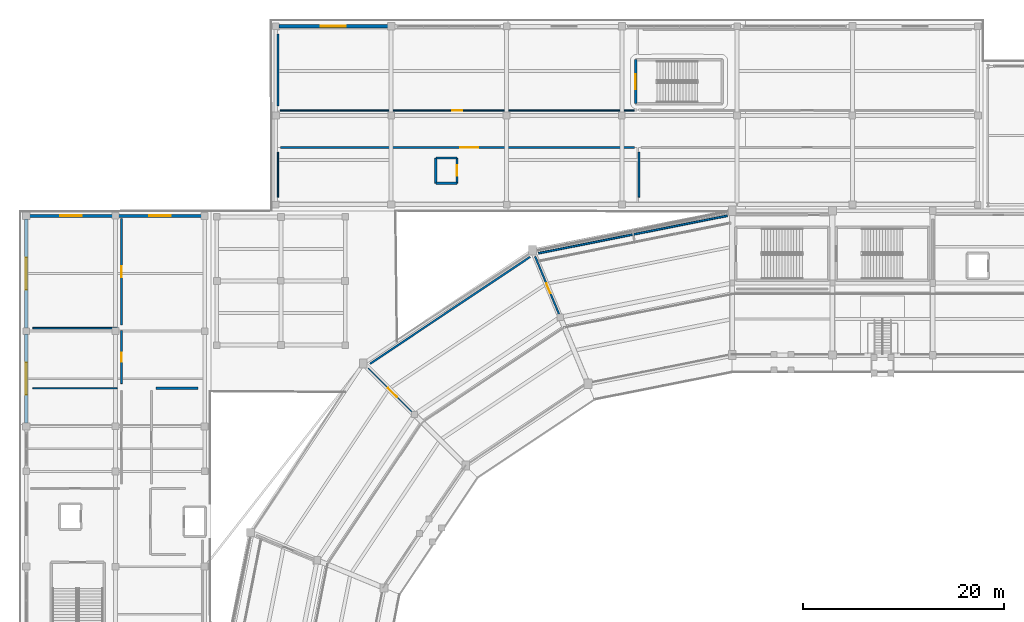
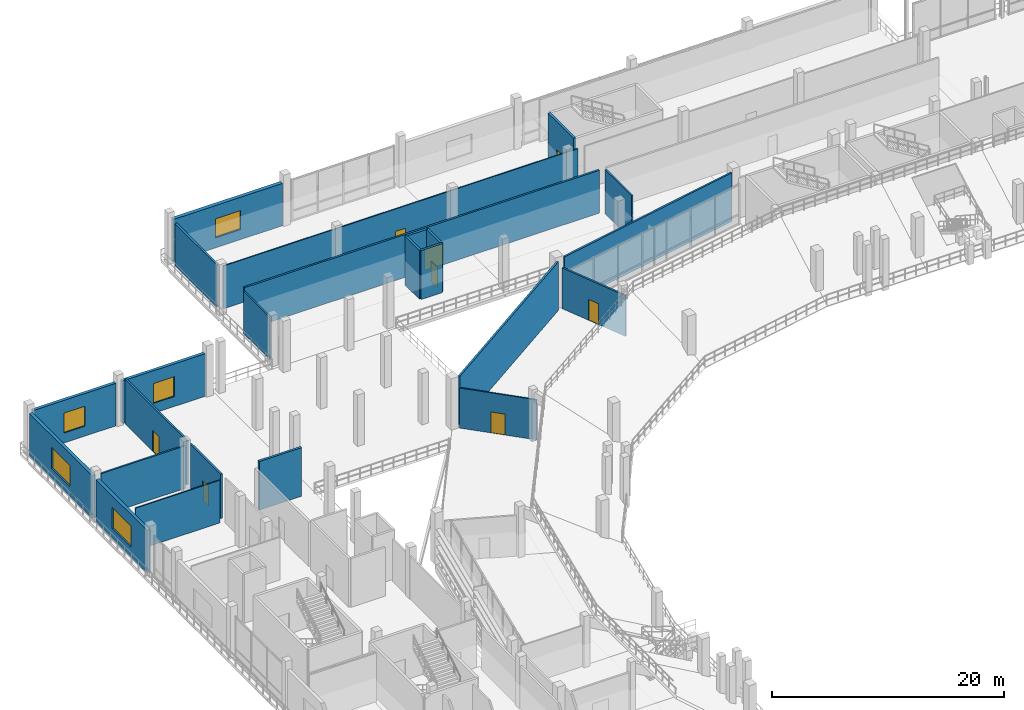
# One storey, part 82 of 127: 24 walls, 8 doors, 5 windows, 13 openings.
"""IFC4 building model written with IfcOpenShell, lengths in metres."""

from ifc_helpers import new_model, si_unit, direction, frame, frame_2d, origin, place, context, subcontext, project, spatial, rectangle, extrude, material, layer, layer_set, type_object, element, fill, save


model = new_model("IFC4")

# Units and contexts
model_context = context("Model", 3, precision=1e-05, world=origin(), true_north=direction((0.0, 1.0)))
body_context = subcontext(model_context, "Body", "Model", "MODEL_VIEW")
ifc_project = project(units=[si_unit("LENGTHUNIT", "METRE"), si_unit("AREAUNIT", "SQUARE_METRE"), si_unit("VOLUMEUNIT", "CUBIC_METRE"), si_unit("PLANEANGLEUNIT", "RADIAN"), si_unit("MASSUNIT", "GRAM", prefix="KILO")], contexts=[model_context])

# Site, building, storey
site_placement = place(None, origin())
site = spatial("IfcSite", under=ifc_project, at=site_placement, CompositionType="ELEMENT")
building_placement = place(site_placement, origin())
building = spatial("IfcBuilding", under=site, at=building_placement, Name="Candeia Ridge Stadium", CompositionType="ELEMENT")
storey_placement = place(building_placement, frame((0.0, 0.0, 10.800048828125)))
storey = spatial("IfcBuildingStorey", under=building, at=storey_placement, Name="L02", CompositionType="ELEMENT", Elevation=10.800048828125)

# Wall
ifc_material_1 = material(Name="Gypsum Acoustic Twin-Stud Assembly", Category="gypsum")
ifc_layer_1 = layer(ifc_material_1, 0.159912109375, Name="Gypsum Acoustic Twin-Stud Assembly", Category="gypsum")
ifc_layer_set_1 = layer_set([ifc_layer_1], Name="Gypsum Acoustic Twin-Stud Assembly")
wall_type_1 = type_object("IfcWallType", Name="Club Dining Acoustic Partition 160", PredefinedType="PARTITIONING", material=ifc_layer_set_1)
wall_1_placement = place(storey_placement, frame((1.25, 135.300048828125, 0.0), z_axis=(0.0, 0.0, 1.0), x_axis=(1.0, 0.0, 0.0)))
element("IfcWall", 1, at=wall_1_placement, inside=storey, type_object=wall_type_1, Name="Demising partition PT-L02-0355", PredefinedType="PARTITIONING", context=body_context, shape_type="SweptSolid", body=[
    extrude(rectangle(XDim=8.39990234375, YDim=0.159912109375, at=frame_2d((4.199951171875, 0.0))), origin(), (0.0, 0.0, 1.0), 4.48486328125),
])

# Wall, opening, door
ifc_material_2 = material(Name="Concrete C40/50", Category="concrete")
ifc_layer_2 = layer(ifc_material_2, 0.25, Name="Concrete C40/50", Category="concrete")
ifc_layer_set_2 = layer_set([ifc_layer_2], Name="Concrete C40/50")
wall_type_2 = type_object("IfcWallType", Name="Core Shear Wall Concrete 250", PredefinedType="SHEAR", material=ifc_layer_set_2)
wall_2_placement = place(storey_placement, frame((61.37548828125, 162.07470703125, 0.0), z_axis=(0.0, 0.0, 1.0), x_axis=(0.0, -1.0, 0.0)))
wall_2 = element("IfcWall", 2, at=wall_2_placement, inside=storey, type_object=wall_type_2, Name="Core C15 near shear wall L02", PredefinedType="SHEAR", context=body_context, shape_type="SweptSolid", body=[
    extrude(rectangle(XDim=4.3994140625, YDim=0.25, at=frame_2d((2.19970703125, 0.0))), origin(), (0.0, 0.0, 1.0), 5.14990234375),
])
opening_1_placement = place(wall_2_placement, frame((1.44970703125, 0.0, 0.0)))
opening_1 = element("IfcOpeningElement", 3, at=opening_1_placement, cuts=wall_2, Name="Opening FD01", PredefinedType="OPENING", context=body_context, shape_type="SweptSolid", body=[
    extrude(rectangle(XDim=1.5, YDim=2.199951171875, at=frame_2d((0.75, 1.10009765625))), frame((0.0, 0.135009765625, 0.0), z_axis=(0.0, -1.0, 0.0), x_axis=(1.0, 0.0, 0.0)), (0.0, 0.0, 1.0), 0.27001953125),
])
ifc_material_3 = material(Name="Galvanized Fire-Rated Steel", Category="steel")
door_type_1 = type_object("IfcDoorType", Name="Exit Stair Core Fire Door 1500x2200", OperationType="NOTDEFINED", PredefinedType="DOOR", material=ifc_material_3)
door_1_placement = place(opening_1_placement, origin())
door_1 = element("IfcDoor", 4, at=door_1_placement, inside=storey, type_object=door_type_1, Name="Exit stair fire door SD-ST15-L02", OperationType="DOUBLE_DOOR_SINGLE_SWING", OverallHeight=2.199951171875, OverallWidth=1.5, PredefinedType="DOOR", context=body_context, shape_type="SweptSolid", body=[
    extrude(rectangle(XDim=1.5, YDim=2.199951171875, at=frame_2d((0.75, 1.10009765625))), frame((0.0, 0.02490234375, 0.0), z_axis=(0.0, -1.0, 0.0), x_axis=(1.0, 0.0, 0.0)), (0.0, 0.0, 1.0), 0.050048828125),
])
fill(opening_1, door_1)

ifc_layer_3 = layer(ifc_material_1, 0.179931640625, Name="Gypsum Acoustic Twin-Stud Assembly", Category="gypsum")
ifc_layer_set_3 = layer_set([ifc_layer_3], Name="Gypsum Acoustic Twin-Stud Assembly")
wall_type_3 = type_object("IfcWallType", Name="Corridor Fire Partition 180", PredefinedType="PARTITIONING", material=ifc_layer_set_3)
wall_3_placement = place(storey_placement, frame((53.98974609375, 136.06640625, 0.0), z_axis=(0.0, 0.0, 1.0), x_axis=(-0.38269761686, 0.923873656974, 0.0)))
wall_3 = element("IfcWall", 5, at=wall_3_placement, inside=storey, type_object=wall_type_3, Name="Interior partition PT-L02-0457", PredefinedType="PARTITIONING", context=body_context, shape_type="SweptSolid", body=[
    extrude(rectangle(XDim=6.900146484375, YDim=0.179931640625, at=frame_2d((3.4501953125, 0.0))), origin(), (0.0, 0.0, 1.0), 4.284912109375),
])
opening_2_placement = place(wall_3_placement, frame((2.925048828125, 0.0, 0.0)))
opening_2 = element("IfcOpeningElement", 6, at=opening_2_placement, cuts=wall_3, Name="Opening ID01", PredefinedType="OPENING", context=body_context, shape_type="SweptSolid", body=[
    extrude(rectangle(XDim=1.050048828125, YDim=2.199951171875, at=frame_2d((0.52490234375, 1.10009765625))), frame((0.0, 0.099853515625, 0.0), z_axis=(0.0, -1.0, 0.0), x_axis=(1.0, 0.0, 0.0)), (0.0, 0.0, 1.0), 0.199951171875),
])
ifc_material_4 = material(Name="Western Red Cedar Acoustic Veneer", Category="wood")
door_type_2 = type_object("IfcDoorType", Name="Hospitality Suite Entrance Door 1050x2200", OperationType="NOTDEFINED", PredefinedType="DOOR", material=ifc_material_4)
door_2_placement = place(opening_2_placement, frame((1.050048828125, 0.0, 0.0), z_axis=(0.0, 0.0, 1.0), x_axis=(-1.0, 0.0, 0.0)))
door_2 = element("IfcDoor", 7, at=door_2_placement, inside=storey, type_object=door_type_2, Name="Interior room door D-L02-0236", OperationType="SINGLE_SWING_RIGHT", OverallHeight=2.199951171875, OverallWidth=1.050048828125, PredefinedType="DOOR", context=body_context, shape_type="SweptSolid", body=[
    extrude(rectangle(XDim=1.050048828125, YDim=2.199951171875, at=frame_2d((0.52490234375, 1.10009765625))), frame((0.0, 0.02490234375, 0.0), z_axis=(0.0, -1.0, 0.0), x_axis=(1.0, 0.0, 0.0)), (0.0, 0.0, 1.0), 0.050048828125),
])
fill(opening_2, door_2)

# Walls
wall_4_placement = place(storey_placement, frame((51.69482421875, 142.760009765625, 0.0), z_axis=(0.0, 0.0, 1.0), x_axis=(0.98078659802, 0.195083697793, 0.0)))
element("IfcWall", 8, at=wall_4_placement, inside=storey, type_object=wall_type_3, Name="Demising partition PT-L02-0458", PredefinedType="PARTITIONING", context=body_context, shape_type="SweptSolid", body=[
    extrude(rectangle(XDim=19.1923828125, YDim=0.179931640625, at=frame_2d((9.59619140625, 0.0))), origin(), (0.0, 0.0, 1.0), 5.119873046875),
])
ifc_material_5 = material(Name="Moisture-Resistant Masonry & Tile", Category="masonry")
ifc_layer_4 = layer(ifc_material_5, 0.22998046875, Name="Moisture-Resistant Masonry & Tile", Category="masonry")
ifc_layer_set_4 = layer_set([ifc_layer_4], Name="Moisture-Resistant Masonry & Tile")
wall_type_4 = type_object("IfcWallType", Name="Dressing Suite Wet-Wall Chase 230", PredefinedType="PLUMBINGWALL", material=ifc_layer_set_4)
wall_5_placement = place(storey_placement, frame((13.550048828125, 129.300048828125, 0.0), z_axis=(0.0, 0.0, 1.0), x_axis=(1.0, 0.0, 0.0)))
element("IfcWall", 9, at=wall_5_placement, inside=storey, type_object=wall_type_4, Name="Demising partition PT-L02-0353", PredefinedType="PLUMBINGWALL", context=body_context, shape_type="SweptSolid", body=[
    extrude(rectangle(XDim=4.199951171875, YDim=0.22998046875, at=frame_2d((2.10009765625, 0.0))), origin(), (0.0, 0.0, 1.0), 5.119873046875),
])

# Wall, opening, window
ifc_layer_5 = layer(ifc_material_2, 0.360107421875, Name="Concrete C40/50", Category="concrete")
ifc_layer_set_5 = layer_set([ifc_layer_5], Name="Concrete C40/50")
wall_type_5 = type_object("IfcWallType", Name="Exterior Basalt Plinth Wall 360", PredefinedType="SOLIDWALL", material=ifc_layer_set_5)
wall_6_placement = place(storey_placement, frame((25.81298828125, 165.39990234375, 0.0), z_axis=(0.0, 0.0, 1.0), x_axis=(1.0, 0.0, 0.0)))
wall_6 = element("IfcWall", 10, at=wall_6_placement, inside=storey, type_object=wall_type_5, Name="Exterior facade wall EW-L02-0208", PredefinedType="SOLIDWALL", context=body_context, shape_type="SweptSolid", body=[
    extrude(rectangle(XDim=10.84912109375, YDim=0.360107421875, at=frame_2d((5.424560546875, 0.0))), origin(), (0.0, 0.0, 1.0), 4.454833984375),
])
opening_3_placement = place(wall_6_placement, frame((4.174560546875, 0.0, 1.050048828125)))
opening_3 = element("IfcOpeningElement", 11, at=opening_3_placement, cuts=wall_6, Name="Opening W13", PredefinedType="OPENING", context=body_context, shape_type="SweptSolid", body=[
    extrude(rectangle(XDim=2.5, YDim=2.0, at=frame_2d((1.25, 1.0))), frame((0.0, 0.18994140625, 0.0), z_axis=(0.0, -1.0, 0.0), x_axis=(1.0, 0.0, 0.0)), (0.0, 0.0, 1.0), 0.380126953125),
])
ifc_material_6 = material(Name="Tempered Solar-Control Double Glazing", Category="glass")
window_type_1 = type_object("IfcWindowType", Name="Ticketing Hall Window 2500x2000", PartitioningType="SINGLE_PANEL", PredefinedType="WINDOW", material=ifc_material_6)
window_1_placement = place(opening_3_placement, origin())
window_1 = element("IfcWindow", 12, at=window_1_placement, inside=storey, type_object=window_type_1, Name="Exterior window WIN-L02-115", OverallHeight=2.0, OverallWidth=2.5, PartitioningType="SINGLE_PANEL", PredefinedType="WINDOW", context=body_context, shape_type="SweptSolid", body=[
    extrude(rectangle(XDim=2.5, YDim=2.0, at=frame_2d((1.25, 1.0))), frame((0.0, 0.030029296875, 0.0), z_axis=(0.0, -1.0, 0.0), x_axis=(1.0, 0.0, 0.0)), (0.0, 0.0, 1.0), 0.06005859375),
])
fill(opening_3, window_1)

ifc_material_7 = material(Name="Concrete C35/45", Category="concrete")
ifc_layer_6 = layer(ifc_material_7, 0.320068359375, Name="Concrete C35/45", Category="concrete")
ifc_layer_set_6 = layer_set([ifc_layer_6], Name="Concrete C35/45")
wall_type_6 = type_object("IfcWallType", Name="Exterior Cedar-Clad Insulated Wall 320", PredefinedType="SOLIDWALL", material=ifc_layer_set_6)
wall_7_placement = place(storey_placement, frame((0.60009765625, 125.837890625, 0.0), z_axis=(0.0, 0.0, 1.0), x_axis=(0.0, 1.0, 0.0)))
wall_7 = element("IfcWall", 13, at=wall_7_placement, inside=storey, type_object=wall_type_6, Name="Exterior facade wall EW-L02-0081", PredefinedType="SOLIDWALL", context=body_context, shape_type="SweptSolid", body=[
    extrude(rectangle(XDim=8.84912109375, YDim=0.320068359375, at=frame_2d((4.424560546875, 0.0))), origin(), (0.0, 0.0, 1.0), 4.48486328125),
])
opening_4_placement = place(wall_7_placement, frame((2.824462890625, 0.0, 1.050048828125)))
opening_4 = element("IfcOpeningElement", 14, at=opening_4_placement, cuts=wall_7, Name="Opening W05", PredefinedType="OPENING", context=body_context, shape_type="SweptSolid", body=[
    extrude(rectangle(XDim=3.199951171875, YDim=2.199951171875, at=frame_2d((1.60009765625, 1.10009765625))), frame((0.0, 0.169921875, 0.0), z_axis=(0.0, -1.0, 0.0), x_axis=(1.0, 0.0, 0.0)), (0.0, 0.0, 1.0), 0.340087890625),
])
window_type_2 = type_object("IfcWindowType", Name="Club Dining Picture Window 3200x2200", PartitioningType="SINGLE_PANEL", PredefinedType="WINDOW", material=ifc_material_6)
window_2_placement = place(opening_4_placement, origin())
window_2 = element("IfcWindow", 15, at=window_2_placement, inside=storey, type_object=window_type_2, Name="Exterior window WIN-L02-035", OverallHeight=2.199951171875, OverallWidth=3.199951171875, PartitioningType="SINGLE_PANEL", PredefinedType="WINDOW", context=body_context, shape_type="SweptSolid", body=[
    extrude(rectangle(XDim=3.199951171875, YDim=2.199951171875, at=frame_2d((1.60009765625, 1.10009765625))), frame((0.0, 0.030029296875, 0.0), z_axis=(0.0, -1.0, 0.0), x_axis=(1.0, 0.0, 0.0)), (0.0, 0.0, 1.0), 0.06005859375),
])
fill(opening_4, window_2)

wall_8_placement = place(storey_placement, frame((0.60009765625, 135.31298828125, 0.0), z_axis=(0.0, 0.0, 1.0), x_axis=(0.0, 1.0, 0.0)))
wall_8 = element("IfcWall", 16, at=wall_8_placement, inside=storey, type_object=wall_type_6, Name="Exterior facade wall EW-L02-0082", PredefinedType="SOLIDWALL", context=body_context, shape_type="SweptSolid", body=[
    extrude(rectangle(XDim=10.84912109375, YDim=0.320068359375, at=frame_2d((5.424560546875, 0.0))), origin(), (0.0, 0.0, 1.0), 4.48486328125),
])
opening_5_placement = place(wall_8_placement, frame((3.824462890625, 0.0, 1.050048828125)))
opening_5 = element("IfcOpeningElement", 17, at=opening_5_placement, cuts=wall_8, Name="Opening W05", PredefinedType="OPENING", context=body_context, shape_type="SweptSolid", body=[
    extrude(rectangle(XDim=3.199951171875, YDim=2.199951171875, at=frame_2d((1.60009765625, 1.10009765625))), frame((0.0, 0.169921875, 0.0), z_axis=(0.0, -1.0, 0.0), x_axis=(1.0, 0.0, 0.0)), (0.0, 0.0, 1.0), 0.340087890625),
])
window_3_placement = place(opening_5_placement, origin())
window_3 = element("IfcWindow", 18, at=window_3_placement, inside=storey, type_object=window_type_2, Name="Exterior window WIN-L02-036", OverallHeight=2.199951171875, OverallWidth=3.199951171875, PartitioningType="SINGLE_PANEL", PredefinedType="WINDOW", context=body_context, shape_type="SweptSolid", body=[
    extrude(rectangle(XDim=3.199951171875, YDim=2.199951171875, at=frame_2d((1.60009765625, 1.10009765625))), frame((0.0, 0.030029296875, 0.0), z_axis=(0.0, -1.0, 0.0), x_axis=(1.0, 0.0, 0.0)), (0.0, 0.0, 1.0), 0.06005859375),
])
fill(opening_5, window_3)

ifc_layer_7 = layer(ifc_material_7, 0.300048828125, Name="Concrete C35/45", Category="concrete")
ifc_layer_set_7 = layer_set([ifc_layer_7], Name="Concrete C35/45")
wall_type_7 = type_object("IfcWallType", Name="Exterior Pavilion Rainscreen Wall 300", PredefinedType="SOLIDWALL", material=ifc_layer_set_7)
wall_9_placement = place(storey_placement, frame((0.93798828125, 146.5, 0.0), z_axis=(0.0, 0.0, 1.0), x_axis=(1.0, 0.0, 0.0)))
wall_9 = element("IfcWall", 19, at=wall_9_placement, inside=storey, type_object=wall_type_7, Name="Exterior facade wall EW-L02-0085", PredefinedType="SOLIDWALL", context=body_context, shape_type="SweptSolid", body=[
    extrude(rectangle(XDim=8.2490234375, YDim=0.300048828125, at=frame_2d((4.12451171875, 0.0))), origin(), (0.0, 0.0, 1.0), 4.48486328125),
])
opening_6_placement = place(wall_9_placement, frame((3.074462890625, 0.0, 1.050048828125)))
opening_6 = element("IfcOpeningElement", 20, at=opening_6_placement, cuts=wall_9, Name="Opening W04", PredefinedType="OPENING", context=body_context, shape_type="SweptSolid", body=[
    extrude(rectangle(XDim=2.10009765625, YDim=2.10009765625, at=frame_2d((1.050048828125, 1.050048828125))), frame((0.0, 0.159912109375, 0.0), z_axis=(0.0, -1.0, 0.0), x_axis=(1.0, 0.0, 0.0)), (0.0, 0.0, 1.0), 0.320068359375),
])
window_type_3 = type_object("IfcWindowType", Name="Hospitality Ribbon Window 2100x2100", PartitioningType="SINGLE_PANEL", PredefinedType="WINDOW", material=ifc_material_6)
window_4_placement = place(opening_6_placement, origin())
window_4 = element("IfcWindow", 21, at=window_4_placement, inside=storey, type_object=window_type_3, Name="Exterior window WIN-L02-039", OverallHeight=2.10009765625, OverallWidth=2.10009765625, PartitioningType="SINGLE_PANEL", PredefinedType="WINDOW", context=body_context, shape_type="SweptSolid", body=[
    extrude(rectangle(XDim=2.10009765625, YDim=2.10009765625, at=frame_2d((1.050048828125, 1.050048828125))), frame((0.0, 0.030029296875, 0.0), z_axis=(0.0, -1.0, 0.0), x_axis=(1.0, 0.0, 0.0)), (0.0, 0.0, 1.0), 0.06005859375),
])
fill(opening_6, window_4)

wall_10_placement = place(storey_placement, frame((9.81298828125, 146.5, 0.0), z_axis=(0.0, 0.0, 1.0), x_axis=(1.0, 0.0, 0.0)))
wall_10 = element("IfcWall", 22, at=wall_10_placement, inside=storey, type_object=wall_type_7, Name="Exterior facade wall EW-L02-0086", PredefinedType="SOLIDWALL", context=body_context, shape_type="SweptSolid", body=[
    extrude(rectangle(XDim=8.2490234375, YDim=0.300048828125, at=frame_2d((4.12451171875, 0.0))), origin(), (0.0, 0.0, 1.0), 4.48486328125),
])
opening_7_placement = place(wall_10_placement, frame((3.074462890625, 0.0, 1.050048828125)))
opening_7 = element("IfcOpeningElement", 23, at=opening_7_placement, cuts=wall_10, Name="Opening W04", PredefinedType="OPENING", context=body_context, shape_type="SweptSolid", body=[
    extrude(rectangle(XDim=2.10009765625, YDim=2.10009765625, at=frame_2d((1.050048828125, 1.050048828125))), frame((0.0, 0.159912109375, 0.0), z_axis=(0.0, -1.0, 0.0), x_axis=(1.0, 0.0, 0.0)), (0.0, 0.0, 1.0), 0.320068359375),
])
window_5_placement = place(opening_7_placement, origin())
window_5 = element("IfcWindow", 24, at=window_5_placement, inside=storey, type_object=window_type_3, Name="Exterior window WIN-L02-040", OverallHeight=2.10009765625, OverallWidth=2.10009765625, PartitioningType="SINGLE_PANEL", PredefinedType="WINDOW", context=body_context, shape_type="SweptSolid", body=[
    extrude(rectangle(XDim=2.10009765625, YDim=2.10009765625, at=frame_2d((1.050048828125, 1.050048828125))), frame((0.0, 0.030029296875, 0.0), z_axis=(0.0, -1.0, 0.0), x_axis=(1.0, 0.0, 0.0)), (0.0, 0.0, 1.0), 0.06005859375),
])
fill(opening_7, window_5)

# Wall
ifc_material_8 = material(Name="Gypsum Metal-Stud Partition", Category="gypsum")
ifc_layer_8 = layer(ifc_material_8, 0.135009765625, Name="Gypsum Metal-Stud Partition", Category="gypsum")
ifc_layer_set_8 = layer_set([ifc_layer_8], Name="Gypsum Metal-Stud Partition")
wall_type_8 = type_object("IfcWallType", Name="General Room Partition 135", PredefinedType="PARTITIONING", material=ifc_layer_set_8)
wall_11_placement = place(storey_placement, frame((25.699951171875, 148.35009765625, 0.0), z_axis=(0.0, 0.0, 1.0), x_axis=(0.0, 1.0, 0.0)))
element("IfcWall", 25, at=wall_11_placement, inside=storey, type_object=wall_type_8, Name="Demising partition PT-L02-0420", PredefinedType="PARTITIONING", context=body_context, shape_type="SweptSolid", body=[
    extrude(rectangle(XDim=4.5, YDim=0.135009765625, at=frame_2d((2.25, 0.0))), origin(), (0.0, 0.0, 1.0), 4.454833984375),
])

# Wall, opening, door
wall_12_placement = place(storey_placement, frame((39.569091796875, 126.430908203125, 0.0), z_axis=(0.0, 0.0, 1.0), x_axis=(-0.707106781187, 0.707106781187, 0.0)))
wall_12 = element("IfcWall", 26, at=wall_12_placement, inside=storey, type_object=wall_type_8, Name="Interior partition PT-L02-0459", PredefinedType="PARTITIONING", context=body_context, shape_type="SweptSolid", body=[
    extrude(rectangle(XDim=6.89990234375, YDim=0.135009765625, at=frame_2d((3.449951171875, 0.0))), origin(), (0.0, 0.0, 1.0), 4.21484375),
])
opening_8_placement = place(wall_12_placement, frame((2.824951171875, 0.0, 0.0)))
opening_8 = element("IfcOpeningElement", 27, at=opening_8_placement, cuts=wall_12, Name="Opening ID11", PredefinedType="OPENING", context=body_context, shape_type="SweptSolid", body=[
    extrude(rectangle(XDim=1.25, YDim=2.199951171875, at=frame_2d((0.625, 1.10009765625))), frame((0.0, 0.077392578125, 0.0), z_axis=(0.0, -1.0, 0.0), x_axis=(1.0, 0.0, 0.0)), (0.0, 0.0, 1.0), 0.155029296875),
])
ifc_material_9 = material(Name="Acoustic Timber Studio Leaf", Category="wood")
door_type_3 = type_object("IfcDoorType", Name="Press Tribune Acoustic Door 1250x2200", OperationType="NOTDEFINED", PredefinedType="DOOR", material=ifc_material_9)
door_3_placement = place(opening_8_placement, origin())
door_3 = element("IfcDoor", 28, at=door_3_placement, inside=storey, type_object=door_type_3, Name="Interior room door D-L02-0237", OperationType="SINGLE_SWING_LEFT", OverallHeight=2.199951171875, OverallWidth=1.25, PredefinedType="DOOR", context=body_context, shape_type="SweptSolid", body=[
    extrude(rectangle(XDim=1.25, YDim=2.199951171875, at=frame_2d((0.625, 1.10009765625))), frame((0.0, 0.02490234375, 0.0), z_axis=(0.0, -1.0, 0.0), x_axis=(1.0, 0.0, 0.0)), (0.0, 0.0, 1.0), 0.050048828125),
])
fill(opening_8, door_3)

# Wall
ifc_layer_9 = layer(ifc_material_2, 0.219970703125, Name="Concrete C40/50", Category="concrete")
ifc_layer_set_9 = layer_set([ifc_layer_9], Name="Concrete C40/50")
wall_type_9 = type_object("IfcWallType", Name="Lift & Riser Shaft Wall 220", PredefinedType="SHEAR", material=ifc_layer_set_9)
wall_13_placement = place(storey_placement, frame((41.43994140625, 149.739990234375, 0.0), z_axis=(0.0, 0.0, 1.0), x_axis=(1.0, 0.0, 0.0)))
element("IfcWall", 29, at=wall_13_placement, inside=storey, type_object=wall_type_9, Name="Lift PL7 shaft wall L02 south", PredefinedType="SHEAR", context=body_context, shape_type="SweptSolid", body=[
    extrude(rectangle(XDim=2.1201171875, YDim=0.219970703125, at=frame_2d((1.06005859375, 0.0))), origin(), (0.0, 0.0, 1.0), 5.14990234375),
])

# Wall, opening, door
wall_14_placement = place(storey_placement, frame((43.56005859375, 149.739990234375, 0.0), z_axis=(0.0, 0.0, 1.0), x_axis=(0.0, 1.0, 0.0)))
wall_14 = element("IfcWall", 30, at=wall_14_placement, inside=storey, type_object=wall_type_9, Name="Lift PL7 shaft wall L02 east", PredefinedType="SHEAR", context=body_context, shape_type="SweptSolid", body=[
    extrude(rectangle(XDim=2.52001953125, YDim=0.219970703125, at=frame_2d((1.260009765625, 0.0))), origin(), (0.0, 0.0, 1.0), 5.14990234375),
])
opening_9_placement = place(wall_14_placement, frame((0.735107421875, 0.0, 0.0)))
opening_9 = element("IfcOpeningElement", 31, at=opening_9_placement, cuts=wall_14, Name="Opening LD02", PredefinedType="OPENING", context=body_context, shape_type="SweptSolid", body=[
    extrude(rectangle(XDim=1.050048828125, YDim=2.14990234375, at=frame_2d((0.52490234375, 1.074951171875))), frame((0.0, 0.119873046875, 0.0), z_axis=(0.0, -1.0, 0.0), x_axis=(1.0, 0.0, 0.0)), (0.0, 0.0, 1.0), 0.239990234375),
])
ifc_material_10 = material(Name="Brushed Stainless Steel", Category="steel")
door_type_4 = type_object("IfcDoorType", Name="Passenger Lift Landing Door 1050x2150", OperationType="NOTDEFINED", PredefinedType="DOOR", material=ifc_material_10)
door_4_placement = place(opening_9_placement, origin())
door_4 = element("IfcDoor", 32, at=door_4_placement, inside=storey, type_object=door_type_4, Name="Lift landing sliding door LD-PL7-L02", OperationType="DOUBLE_DOOR_SLIDING", OverallHeight=2.14990234375, OverallWidth=1.050048828125, PredefinedType="DOOR", context=body_context, shape_type="SweptSolid", body=[
    extrude(rectangle(XDim=1.050048828125, YDim=2.14990234375, at=frame_2d((0.52490234375, 1.074951171875))), frame((0.0, 0.02490234375, 0.0), z_axis=(0.0, -1.0, 0.0), x_axis=(1.0, 0.0, 0.0)), (0.0, 0.0, 1.0), 0.050048828125),
])
fill(opening_9, door_4)

# Walls
wall_15_placement = place(storey_placement, frame((43.56005859375, 152.260009765625, 0.0), z_axis=(0.0, 0.0, 1.0), x_axis=(-1.0, 0.0, 0.0)))
element("IfcWall", 33, at=wall_15_placement, inside=storey, type_object=wall_type_9, Name="Lift PL7 shaft wall L02 north", PredefinedType="SHEAR", context=body_context, shape_type="SweptSolid", body=[
    extrude(rectangle(XDim=2.1201171875, YDim=0.219970703125, at=frame_2d((1.06005859375, 0.0))), origin(), (0.0, 0.0, 1.0), 5.14990234375),
])
wall_16_placement = place(storey_placement, frame((41.43994140625, 152.260009765625, 0.0), z_axis=(0.0, 0.0, 1.0), x_axis=(0.0, -1.0, 0.0)))
element("IfcWall", 34, at=wall_16_placement, inside=storey, type_object=wall_type_9, Name="Lift PL7 shaft wall L02 west", PredefinedType="SHEAR", context=body_context, shape_type="SweptSolid", body=[
    extrude(rectangle(XDim=2.52001953125, YDim=0.219970703125, at=frame_2d((1.260009765625, 0.0))), origin(), (0.0, 0.0, 1.0), 5.14990234375),
])

# Wall, opening, door
ifc_material_11 = material(Name="Gypsum Acoustic Triple-Board Wall", Category="gypsum")
ifc_layer_10 = layer(ifc_material_11, 0.18994140625, Name="Gypsum Acoustic Triple-Board Wall", Category="gypsum")
ifc_layer_set_10 = layer_set([ifc_layer_10], Name="Gypsum Acoustic Triple-Board Wall")
wall_type_10 = type_object("IfcWallType", Name="Media & Commentary Studio Wall 190", PredefinedType="PARTITIONING", material=ifc_layer_set_10)
wall_17_placement = place(storey_placement, frame((25.949951171875, 153.300048828125, 0.0), z_axis=(0.0, 0.0, 1.0), x_axis=(1.0, 0.0, 0.0)))
wall_17 = element("IfcWall", 35, at=wall_17_placement, inside=storey, type_object=wall_type_10, Name="Interior partition PT-L02-0419", PredefinedType="PARTITIONING", context=body_context, shape_type="SweptSolid", body=[
    extrude(rectangle(XDim=35.300048828125, YDim=0.18994140625, at=frame_2d((17.64990234375, 0.0))), origin(), (0.0, 0.0, 1.0), 4.5048828125),
])
opening_10_placement = place(wall_17_placement, frame((17.949951171875, 0.0, 0.0)))
opening_10 = element("IfcOpeningElement", 36, at=opening_10_placement, cuts=wall_17, Name="Opening FD03", PredefinedType="OPENING", context=body_context, shape_type="SweptSolid", body=[
    extrude(rectangle(XDim=1.800048828125, YDim=2.199951171875, at=frame_2d((0.89990234375, 1.10009765625))), frame((0.0, 0.10498046875, 0.0), z_axis=(0.0, -1.0, 0.0), x_axis=(1.0, 0.0, 0.0)), (0.0, 0.0, 1.0), 0.2099609375),
])
ifc_material_12 = material(Name="Timber Fire-Rated Acoustic", Category="wood")
door_type_5 = type_object("IfcDoorType", Name="Corridor Compartment Double Door 1800x2200", OperationType="NOTDEFINED", PredefinedType="DOOR", material=ifc_material_12)
door_5_placement = place(opening_10_placement, origin())
door_5 = element("IfcDoor", 37, at=door_5_placement, inside=storey, type_object=door_type_5, Name="Interior room door D-L02-0217", OperationType="DOUBLE_DOOR_SINGLE_SWING", OverallHeight=2.199951171875, OverallWidth=1.800048828125, PredefinedType="DOOR", context=body_context, shape_type="SweptSolid", body=[
    extrude(rectangle(XDim=1.800048828125, YDim=2.199951171875, at=frame_2d((0.89990234375, 1.10009765625))), frame((0.0, 0.02490234375, 0.0), z_axis=(0.0, -1.0, 0.0), x_axis=(1.0, 0.0, 0.0)), (0.0, 0.0, 1.0), 0.050048828125),
])
fill(opening_10, door_5)

# Wall
wall_18_placement = place(storey_placement, frame((34.887451171875, 131.73681640625, 0.0), z_axis=(0.0, 0.0, 1.0), x_axis=(0.831474480627, 0.555562946988, 0.0)))
element("IfcWall", 38, at=wall_18_placement, inside=storey, type_object=wall_type_10, Name="Demising partition PT-L02-0460", PredefinedType="PARTITIONING", context=body_context, shape_type="SweptSolid", body=[
    extrude(rectangle(XDim=19.1923828125, YDim=0.18994140625, at=frame_2d((9.59619140625, 0.0))), origin(), (0.0, 0.0, 1.0), 5.119873046875),
])

# Wall, opening, door
ifc_layer_11 = layer(ifc_material_11, 0.18505859375, Name="Gypsum Acoustic Triple-Board Wall", Category="gypsum")
ifc_layer_set_11 = layer_set([ifc_layer_11], Name="Gypsum Acoustic Triple-Board Wall")
wall_type_11 = type_object("IfcWallType", Name="Media Booth Studio Divider 185", PredefinedType="PARTITIONING", material=ifc_layer_set_11)
wall_19_placement = place(storey_placement, frame((10.10009765625, 146.25, 0.0), z_axis=(0.0, 0.0, 1.0), x_axis=(0.0, -1.0, 0.0)))
wall_19 = element("IfcWall", 39, at=wall_19_placement, inside=storey, type_object=wall_type_11, Name="Interior partition PT-L02-0356", PredefinedType="PARTITIONING", context=body_context, shape_type="SweptSolid", body=[
    extrude(rectangle(XDim=10.659912109375, YDim=0.18505859375, at=frame_2d((5.330078125, 0.0))), origin(), (0.0, 0.0, 1.0), 4.677978515625),
])
opening_11_placement = place(wall_19_placement, frame((4.77001953125, 0.0, 0.0)))
opening_11 = element("IfcOpeningElement", 40, at=opening_11_placement, cuts=wall_19, Name="Opening ID18", PredefinedType="OPENING", context=body_context, shape_type="SweptSolid", body=[
    extrude(rectangle(XDim=1.1201171875, YDim=2.199951171875, at=frame_2d((0.56005859375, 1.10009765625))), frame((0.0, 0.1025390625, 0.0), z_axis=(0.0, -1.0, 0.0), x_axis=(1.0, 0.0, 0.0)), (0.0, 0.0, 1.0), 0.205078125),
])
door_type_6 = type_object("IfcDoorType", Name="Control Room Security Door 1120x2200", OperationType="NOTDEFINED", PredefinedType="DOOR", material=ifc_material_3)
door_6_placement = place(opening_11_placement, frame((1.1201171875, 0.0, 0.0), z_axis=(0.0, 0.0, 1.0), x_axis=(-1.0, 0.0, 0.0)))
door_6 = element("IfcDoor", 41, at=door_6_placement, inside=storey, type_object=door_type_6, Name="Interior room door D-L02-0184", OperationType="SINGLE_SWING_LEFT", OverallHeight=2.199951171875, OverallWidth=1.1201171875, PredefinedType="DOOR", context=body_context, shape_type="SweptSolid", body=[
    extrude(rectangle(XDim=1.1201171875, YDim=2.199951171875, at=frame_2d((0.56005859375, 1.10009765625))), frame((0.0, 0.02490234375, 0.0), z_axis=(0.0, -1.0, 0.0), x_axis=(1.0, 0.0, 0.0)), (0.0, 0.0, 1.0), 0.050048828125),
])
fill(opening_11, door_6)

# Walls
ifc_layer_12 = layer(ifc_material_1, 0.175048828125, Name="Gypsum Acoustic Twin-Stud Assembly", Category="gypsum")
ifc_layer_set_12 = layer_set([ifc_layer_12], Name="Gypsum Acoustic Twin-Stud Assembly")
wall_type_12 = type_object("IfcWallType", Name="Museum Acoustic Gallery Wall 175", PredefinedType="PARTITIONING", material=ifc_layer_set_12)
wall_20_placement = place(storey_placement, frame((61.699951171875, 148.35009765625, 0.0), z_axis=(0.0, 0.0, 1.0), x_axis=(0.0, 1.0, 0.0)))
element("IfcWall", 42, at=wall_20_placement, inside=storey, type_object=wall_type_12, Name="Demising partition PT-L02-0424", PredefinedType="PARTITIONING", context=body_context, shape_type="SweptSolid", body=[
    extrude(rectangle(XDim=4.5, YDim=0.175048828125, at=frame_2d((2.25, 0.0))), origin(), (0.0, 0.0, 1.0), 4.655029296875),
])
ifc_layer_13 = layer(ifc_material_5, 0.2099609375, Name="Moisture-Resistant Masonry & Tile", Category="masonry")
ifc_layer_set_13 = layer_set([ifc_layer_13], Name="Moisture-Resistant Masonry & Tile")
wall_type_13 = type_object("IfcWallType", Name="Sanitary Wet-Wall Plumbing Chase 210", PredefinedType="PLUMBINGWALL", material=ifc_layer_set_13)
wall_21_placement = place(storey_placement, frame((25.699951171875, 157.449951171875, 0.0), z_axis=(0.0, 0.0, 1.0), x_axis=(0.0, 1.0, 0.0)))
element("IfcWall", 43, at=wall_21_placement, inside=storey, type_object=wall_type_13, Name="Demising partition PT-L02-0422", PredefinedType="PLUMBINGWALL", context=body_context, shape_type="SweptSolid", body=[
    extrude(rectangle(XDim=7.199951171875, YDim=0.2099609375, at=frame_2d((3.60009765625, 0.0))), origin(), (0.0, 0.0, 1.0), 4.454833984375),
])

# Wall, opening, door
ifc_layer_14 = layer(ifc_material_1, 0.169921875, Name="Gypsum Acoustic Twin-Stud Assembly", Category="gypsum")
ifc_layer_set_14 = layer_set([ifc_layer_14], Name="Gypsum Acoustic Twin-Stud Assembly")
wall_type_14 = type_object("IfcWallType", Name="Skybox Demising Acoustic Wall 170", PredefinedType="PARTITIONING", material=ifc_layer_set_14)
wall_22_placement = place(storey_placement, frame((10.10009765625, 135.050048828125, 0.0), z_axis=(0.0, 0.0, 1.0), x_axis=(0.0, -1.0, 0.0)))
wall_22 = element("IfcWall", 44, at=wall_22_placement, inside=storey, type_object=wall_type_14, Name="Interior partition PT-L02-0354", PredefinedType="PARTITIONING", context=body_context, shape_type="SweptSolid", body=[
    extrude(rectangle(XDim=5.300048828125, YDim=0.169921875, at=frame_2d((2.64990234375, 0.0))), origin(), (0.0, 0.0, 1.0), 4.677978515625),
])
opening_12_placement = place(wall_22_placement, frame((2.18994140625, 0.0, 0.0)))
opening_12 = element("IfcOpeningElement", 45, at=opening_12_placement, cuts=wall_22, Name="Opening ID15", PredefinedType="OPENING", context=body_context, shape_type="SweptSolid", body=[
    extrude(rectangle(XDim=0.919921875, YDim=2.10009765625, at=frame_2d((0.4599609375, 1.050048828125))), frame((0.0, 0.094970703125, 0.0), z_axis=(0.0, -1.0, 0.0), x_axis=(1.0, 0.0, 0.0)), (0.0, 0.0, 1.0), 0.18994140625),
])
ifc_material_13 = material(Name="Powder-Coated Hollow Metal", Category="steel")
door_type_7 = type_object("IfcDoorType", Name="Concourse Store Single Door 920x2100", OperationType="NOTDEFINED", PredefinedType="DOOR", material=ifc_material_13)
door_7_placement = place(opening_12_placement, origin())
door_7 = element("IfcDoor", 46, at=door_7_placement, inside=storey, type_object=door_type_7, Name="Interior room door D-L02-0183", OperationType="SINGLE_SWING_RIGHT", OverallHeight=2.10009765625, OverallWidth=0.919921875, PredefinedType="DOOR", context=body_context, shape_type="SweptSolid", body=[
    extrude(rectangle(XDim=0.919921875, YDim=2.10009765625, at=frame_2d((0.4599609375, 1.050048828125))), frame((0.0, 0.02490234375, 0.0), z_axis=(0.0, -1.0, 0.0), x_axis=(1.0, 0.0, 0.0)), (0.0, 0.0, 1.0), 0.050048828125),
])
fill(opening_12, door_7)

# Wall
ifc_layer_15 = layer(ifc_material_8, 0.1201171875, Name="Gypsum Metal-Stud Partition", Category="gypsum")
ifc_layer_set_15 = layer_set([ifc_layer_15], Name="Gypsum Metal-Stud Partition")
wall_type_15 = type_object("IfcWallType", Name="Suite Internal Divider 120", PredefinedType="PARTITIONING", material=ifc_layer_set_15)
wall_23_placement = place(storey_placement, frame((1.25, 129.300048828125, 0.0), z_axis=(0.0, 0.0, 1.0), x_axis=(1.0, 0.0, 0.0)))
element("IfcWall", 47, at=wall_23_placement, inside=storey, type_object=wall_type_15, Name="Demising partition PT-L02-0351", PredefinedType="PARTITIONING", context=body_context, shape_type="SweptSolid", body=[
    extrude(rectangle(XDim=8.39990234375, YDim=0.1201171875, at=frame_2d((4.199951171875, 0.0))), origin(), (0.0, 0.0, 1.0), 4.48486328125),
])

# Wall, opening, door
wall_24_placement = place(storey_placement, frame((61.25, 157.0, 0.0), z_axis=(0.0, 0.0, 1.0), x_axis=(-1.0, 0.0, 0.0)))
wall_24 = element("IfcWall", 48, at=wall_24_placement, inside=storey, type_object=wall_type_15, Name="Interior partition PT-L02-0421", PredefinedType="PARTITIONING", context=body_context, shape_type="SweptSolid", body=[
    extrude(rectangle(XDim=35.300048828125, YDim=0.1201171875, at=frame_2d((17.64990234375, 0.0))), origin(), (0.0, 0.0, 1.0), 4.5048828125),
])
opening_13_placement = place(wall_24_placement, frame((17.14990234375, 0.0, 0.0)))
opening_13 = element("IfcOpeningElement", 49, at=opening_13_placement, cuts=wall_24, Name="Opening ID04", PredefinedType="OPENING", context=body_context, shape_type="SweptSolid", body=[
    extrude(rectangle(XDim=1.0, YDim=2.14990234375, at=frame_2d((0.5, 1.074951171875))), frame((0.0, 0.070068359375, 0.0), z_axis=(0.0, -1.0, 0.0), x_axis=(1.0, 0.0, 0.0)), (0.0, 0.0, 1.0), 0.14013671875),
])
door_type_8 = type_object("IfcDoorType", Name="Concourse Kiosk Service Door 1000x2150", OperationType="NOTDEFINED", PredefinedType="DOOR", material=ifc_material_13)
door_8_placement = place(opening_13_placement, origin())
door_8 = element("IfcDoor", 50, at=door_8_placement, inside=storey, type_object=door_type_8, Name="Interior room door D-L02-0218", OperationType="SINGLE_SWING_RIGHT", OverallHeight=2.14990234375, OverallWidth=1.0, PredefinedType="DOOR", context=body_context, shape_type="SweptSolid", body=[
    extrude(rectangle(XDim=1.0, YDim=2.14990234375, at=frame_2d((0.5, 1.074951171875))), frame((0.0, 0.02490234375, 0.0), z_axis=(0.0, -1.0, 0.0), x_axis=(1.0, 0.0, 0.0)), (0.0, 0.0, 1.0), 0.050048828125),
])
fill(opening_13, door_8)

save(model, "model.ifc")
